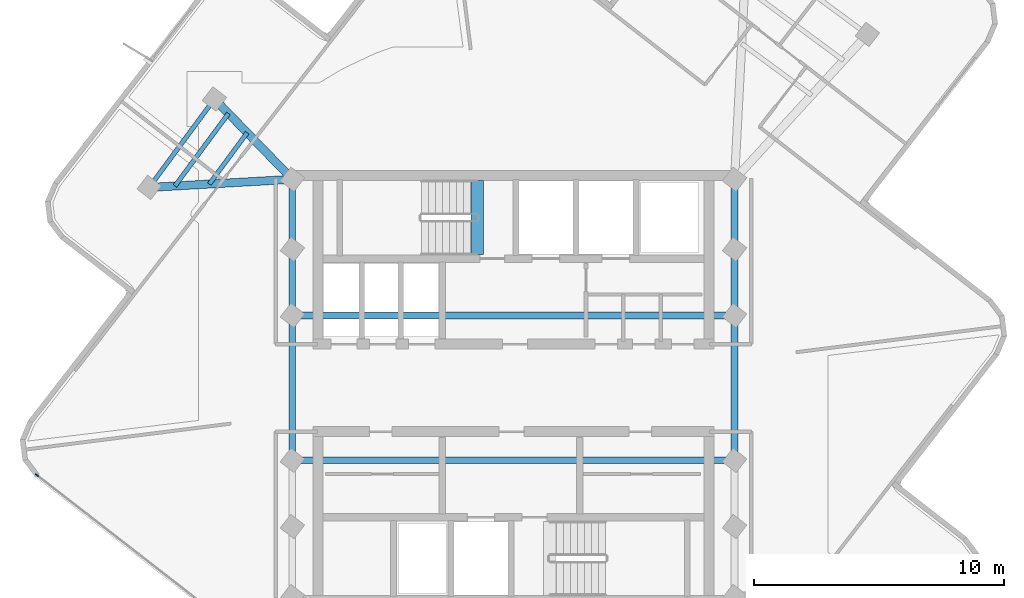
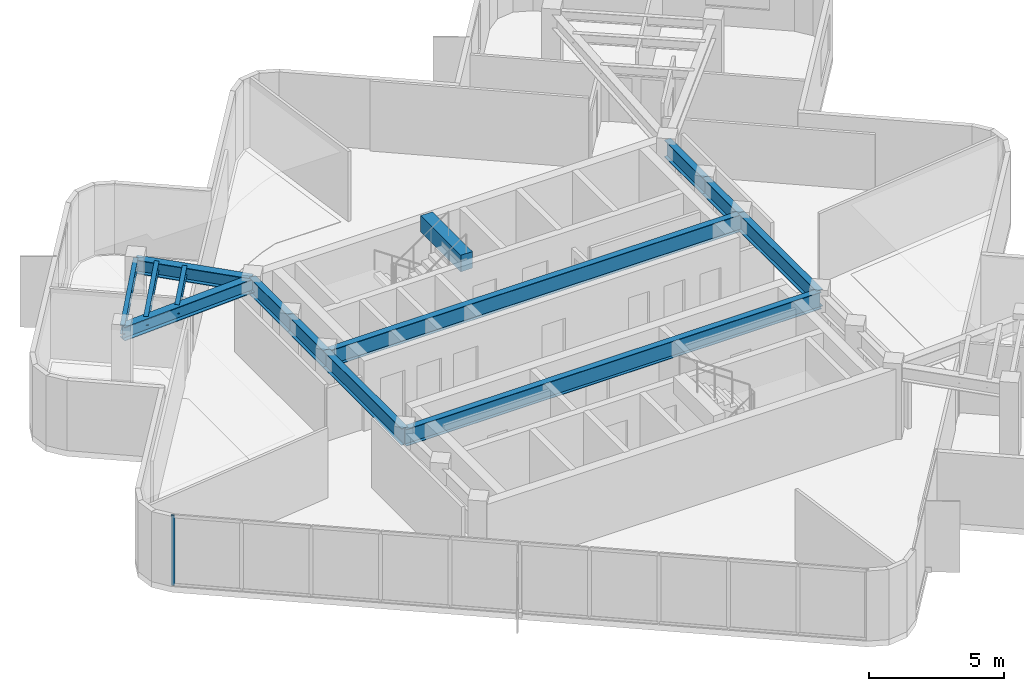
# One storey, part 4 of 10: 14 beams, 1 member, 1 element without a shape of its own.
"""IFC4 building model written with IfcOpenShell, lengths in metres."""

from ifc_helpers import new_model, si_unit, direction, frame, origin, origin_2d, place, context, subcontext, project, spatial, rectangle, i_section, extrude, material, layer, layer_set, material_profile, profile_set, type_object, element, aggregate, save


model = new_model("IFC4")

# Units and contexts
model_context = context("Model", 3, precision=1e-05, world=origin(), true_north=direction((0.0, 1.0)))
body_context = subcontext(model_context, "Body", "Model", "MODEL_VIEW")
ifc_project = project(units=[si_unit("LENGTHUNIT", "METRE"), si_unit("AREAUNIT", "SQUARE_METRE"), si_unit("VOLUMEUNIT", "CUBIC_METRE"), si_unit("PLANEANGLEUNIT", "RADIAN"), si_unit("MASSUNIT", "GRAM", prefix="KILO")], contexts=[model_context])

# Site, building, storey
site_placement = place(None, origin())
site = spatial("IfcSite", under=ifc_project, at=site_placement, CompositionType="ELEMENT")
building_placement = place(site_placement, origin())
building = spatial("IfcBuilding", under=site, at=building_placement, Name="Solmarez Civic Tower", CompositionType="ELEMENT")
storey_placement = place(building_placement, frame((0.0, 0.0, 257.760009765625)))
storey = spatial("IfcBuildingStorey", under=building, at=storey_placement, Name="L69", CompositionType="ELEMENT", Elevation=257.760009765625)

# Beams
ifc_material_1 = material(Name="Steel S355", Category="steel")
ifc_material_profile_1 = material_profile(ifc_material_1, i_section(OverallWidth=0.178955078125, OverallDepth=0.409912109375, WebThickness=0.0087890625, FlangeThickness=0.014404296875, at=origin_2d()), Name="W16X45")
ifc_profile_set_1 = profile_set([ifc_material_profile_1], Name="Steel S355")
beam_type_1 = type_object("IfcBeamType", Name="BM-JS-W16X45", PredefinedType="JOIST", material=ifc_profile_set_1)
beam_1_placement = place(storey_placement, frame((-11.970947265625, 11.56591796875, 2.955078125), z_axis=(-0.593730834471, -0.804663716219, 0.0), x_axis=(0.804663716219, -0.593730834471, 0.0)))
element("IfcBeam", 1, at=beam_1_placement, inside=storey, type_object=beam_type_1, Name="L69 Secondary Floor Joist BM-L69-NA-T1", PredefinedType="JOIST", context=body_context, shape_type="SweptSolid", body=[
    extrude(i_section(OverallWidth=0.178955078125, OverallDepth=0.409912109375, WebThickness=0.0087890625, FlangeThickness=0.014404296875, at=origin_2d()), origin(), (0.0, 0.0, 1.0), 4.3994140625),
])
beam_2_placement = place(storey_placement, frame((-10.659912109375, 10.215087890625, 2.955078125), z_axis=(-0.593812477683, -0.804603468392, 0.0), x_axis=(0.804603468392, -0.593812477683, 0.0)))
element("IfcBeam", 2, at=beam_2_placement, inside=storey, type_object=beam_type_1, Name="L69 Secondary Floor Joist JS-L69-NA-M11", PredefinedType="JOIST", context=body_context, shape_type="SweptSolid", body=[
    extrude(i_section(OverallWidth=0.178955078125, OverallDepth=0.409912109375, WebThickness=0.0087890625, FlangeThickness=0.014404296875, at=origin_2d()), origin(), (0.0, 0.0, 1.0), 2.551513671875),
])
beam_3_placement = place(storey_placement, frame((-11.408935546875, 10.987060546875, 2.955078125), z_axis=(-0.593734433343, -0.804661060735, 0.0), x_axis=(0.804661060735, -0.593734433343, 0.0)))
element("IfcBeam", 3, at=beam_3_placement, inside=storey, type_object=beam_type_1, Name="L69 Secondary Floor Joist JS-L69-NA-M12", PredefinedType="JOIST", context=body_context, shape_type="SweptSolid", body=[
    extrude(i_section(OverallWidth=0.178955078125, OverallDepth=0.409912109375, WebThickness=0.0087890625, FlangeThickness=0.014404296875, at=origin_2d()), origin(), (0.0, 0.0, 1.0), 3.60791015625),
])
ifc_material_2 = material(Name="Concrete C50/60", Category="concrete")
ifc_material_profile_2 = material_profile(ifc_material_2, rectangle(XDim=0.5, YDim=0.75, at=origin_2d()), Name="RC500X750")
ifc_profile_set_2 = profile_set([ifc_material_profile_2], Name="Concrete C50/60")
beam_type_2 = type_object("IfcBeamType", Name="BM-PR-RC500X750", PredefinedType="BEAM", material=ifc_profile_set_2)
beam_4_placement = place(storey_placement, frame((-1.449951171875, 5.340087890625, 3.052978515625), z_axis=(0.0, 1.0, 0.0), x_axis=(-1.0, 0.0, 0.0)))
element("IfcBeam", 4, at=beam_4_placement, inside=storey, type_object=beam_type_2, Name="L69 North Stair Threshold Beam", PredefinedType="BEAM", context=body_context, shape_type="SweptSolid", body=[
    extrude(rectangle(XDim=0.5, YDim=0.75, at=origin_2d()), origin(), (0.0, 0.0, 1.0), 2.9599609375),
])
ifc_material_profile_3 = material_profile(ifc_material_1, i_section(OverallWidth=0.327880859375, OverallDepth=0.6220703125, WebThickness=0.015380859375, FlangeThickness=0.0244140625, at=origin_2d()), Name="W24X131")
ifc_profile_set_3 = profile_set([ifc_material_profile_3], Name="Steel S355")
beam_type_3 = type_object("IfcBeamType", Name="BM-PR-W24X131", PredefinedType="BEAM", material=ifc_profile_set_3)
beam_5_placement = place(storey_placement, frame((-8.85009765625, 8.35009765625, 2.848876953125), z_axis=(-0.696430820305, 0.717623935309, 0.0), x_axis=(-0.717623935309, -0.696430820305, 0.0)))
element("IfcBeam", 5, at=beam_5_placement, inside=storey, type_object=beam_type_3, Name="L69 Primary Floor Beam BM-L69-NA-R1A", PredefinedType="BEAM", context=body_context, shape_type="SweptSolid", body=[
    extrude(i_section(OverallWidth=0.327880859375, OverallDepth=0.6220703125, WebThickness=0.015380859375, FlangeThickness=0.0244140625, at=origin_2d()), origin(), (0.0, 0.0, 1.0), 4.481201171875),
])
beam_6_placement = place(storey_placement, frame((-8.85009765625, 8.35009765625, 2.848876953125), z_axis=(-0.998404650863, -0.056463732917, 0.0), x_axis=(0.056463732917, -0.998404650863, 0.0)))
element("IfcBeam", 6, at=beam_6_placement, inside=storey, type_object=beam_type_3, Name="L69 Primary Floor Beam BM-L69-NA-R1B", PredefinedType="BEAM", context=body_context, shape_type="SweptSolid", body=[
    extrude(i_section(OverallWidth=0.327880859375, OverallDepth=0.6220703125, WebThickness=0.015380859375, FlangeThickness=0.0244140625, at=origin_2d()), origin(), (0.0, 0.0, 1.0), 5.7421875),
])
ifc_material_profile_4 = material_profile(ifc_material_1, i_section(OverallWidth=0.26708984375, OverallDepth=0.761962890625, WebThickness=0.014404296875, FlangeThickness=0.021484375, at=origin_2d()), Name="W30X116")
ifc_profile_set_4 = profile_set([ifc_material_profile_4], Name="Steel S355")
beam_type_4 = type_object("IfcBeamType", Name="BM-PR-W30X116", PredefinedType="BEAM", material=ifc_profile_set_4)
beam_7_placement = place(storey_placement, frame((-8.85009765625, -2.89990234375, 2.779052734375), z_axis=(0.0, 1.0, 0.0), x_axis=(-1.0, 0.0, 0.0)))
element("IfcBeam", 7, at=beam_7_placement, inside=storey, type_object=beam_type_4, Name="L69 Primary Floor Beam BM-L69-HC2-HC3", PredefinedType="BEAM", context=body_context, shape_type="SweptSolid", body=[
    extrude(i_section(OverallWidth=0.26708984375, OverallDepth=0.761962890625, WebThickness=0.014404296875, FlangeThickness=0.021484375, at=origin_2d()), origin(), (0.0, 0.0, 1.0), 5.7998046875),
])
beam_8_placement = place(storey_placement, frame((-8.85009765625, 2.89990234375, 2.779052734375), z_axis=(0.0, 1.0, 0.0), x_axis=(-1.0, 0.0, 0.0)))
element("IfcBeam", 8, at=beam_8_placement, inside=storey, type_object=beam_type_4, Name="L69 Primary Floor Beam BM-L69-HC3-HC4", PredefinedType="BEAM", context=body_context, shape_type="SweptSolid", body=[
    extrude(i_section(OverallWidth=0.26708984375, OverallDepth=0.761962890625, WebThickness=0.014404296875, FlangeThickness=0.021484375, at=origin_2d()), origin(), (0.0, 0.0, 1.0), 2.650146484375),
])
beam_9_placement = place(storey_placement, frame((-8.85009765625, 5.550048828125, 2.779052734375), z_axis=(0.0, 1.0, 0.0), x_axis=(-1.0, 0.0, 0.0)))
element("IfcBeam", 9, at=beam_9_placement, inside=storey, type_object=beam_type_4, Name="L69 Primary Floor Beam BM-L69-HC4-HC9", PredefinedType="BEAM", context=body_context, shape_type="SweptSolid", body=[
    extrude(i_section(OverallWidth=0.26708984375, OverallDepth=0.761962890625, WebThickness=0.014404296875, FlangeThickness=0.021484375, at=origin_2d()), origin(), (0.0, 0.0, 1.0), 2.800048828125),
])
beam_10_placement = place(storey_placement, frame((8.85009765625, -2.89990234375, 2.779052734375), z_axis=(0.0, 1.0, 0.0), x_axis=(-1.0, 0.0, 0.0)))
element("IfcBeam", 10, at=beam_10_placement, inside=storey, type_object=beam_type_4, Name="L69 Primary Floor Beam BM-L69-HC6-HC7", PredefinedType="BEAM", context=body_context, shape_type="SweptSolid", body=[
    extrude(i_section(OverallWidth=0.26708984375, OverallDepth=0.761962890625, WebThickness=0.014404296875, FlangeThickness=0.021484375, at=origin_2d()), origin(), (0.0, 0.0, 1.0), 5.7998046875),
])
beam_11_placement = place(storey_placement, frame((8.85009765625, 2.89990234375, 2.779052734375), z_axis=(0.0, 1.0, 0.0), x_axis=(-1.0, 0.0, 0.0)))
element("IfcBeam", 11, at=beam_11_placement, inside=storey, type_object=beam_type_4, Name="L69 Primary Floor Beam BM-L69-HC7-HC8", PredefinedType="BEAM", context=body_context, shape_type="SweptSolid", body=[
    extrude(i_section(OverallWidth=0.26708984375, OverallDepth=0.761962890625, WebThickness=0.014404296875, FlangeThickness=0.021484375, at=origin_2d()), origin(), (0.0, 0.0, 1.0), 2.650146484375),
])
beam_12_placement = place(storey_placement, frame((8.85009765625, 5.550048828125, 2.779052734375), z_axis=(0.0, 1.0, 0.0), x_axis=(-1.0, 0.0, 0.0)))
element("IfcBeam", 12, at=beam_12_placement, inside=storey, type_object=beam_type_4, Name="L69 Primary Floor Beam BM-L69-HC8-HC11", PredefinedType="BEAM", context=body_context, shape_type="SweptSolid", body=[
    extrude(i_section(OverallWidth=0.26708984375, OverallDepth=0.761962890625, WebThickness=0.014404296875, FlangeThickness=0.021484375, at=origin_2d()), origin(), (0.0, 0.0, 1.0), 2.800048828125),
])
for number, where, z_axis, x_axis, name in (
    (13, (-8.85009765625, -2.89990234375, 2.779052734375), (1.0, 0.0, 0.0), (0.0, 1.0, 0.0), "L69 Primary Floor Beam BM-L69-HC2-HC6"),
    (14, (-8.85009765625, 2.89990234375, 2.779052734375), (1.0, 0.0, 0.0), (0.0, 1.0, 0.0), "L69 Primary Floor Beam BM-L69-HC3-HC7"),
):
    element("IfcBeam", number, at=place(storey_placement, frame(where, z_axis=z_axis, x_axis=x_axis)), inside=storey, type_object=beam_type_4, Name=name, PredefinedType="BEAM", context=body_context, shape_type="SweptSolid", body=[
        extrude(i_section(OverallWidth=0.26708984375, OverallDepth=0.761962890625, WebThickness=0.014404296875, FlangeThickness=0.021484375, at=origin_2d()), origin(), (0.0, 0.0, 1.0), 17.7001953125),
    ])

# Curtain wall, member
ifc_material_3 = material(Name="Bronze Anodised Aluminium EN AW-6063 T6", Category="aluminium")
ifc_layer = layer(ifc_material_3, 0.1650390625)
ifc_layer_set = layer_set([ifc_layer], Name="Bronze Anodised Aluminium EN AW-6063 T6")
curtain_wall_type = type_object("IfcCurtainWallType", Name="CW-SYS-4", PredefinedType="NOTDEFINED", material=ifc_layer_set)
curtain_wall_placement = place(storey_placement, origin())
curtain_wall = element("IfcCurtainWall", 15, at=curtain_wall_placement, inside=storey, type_object=curtain_wall_type, Name="L69 Stick-Built Curtain Wall 2", PredefinedType="NOTDEFINED")
ifc_material_profile_5 = material_profile(ifc_material_3, rectangle(XDim=0.06005859375, YDim=0.14990234375, at=origin_2d()), Name="CWM-60X150")
ifc_profile_set_5 = profile_set([ifc_material_profile_5], Name="Bronze Anodised Aluminium EN AW-6063 T6")
member_type = type_object("IfcMemberType", Name="CWM-TYPE-4", PredefinedType="MULLION", material=ifc_profile_set_5)
member_placement = place(storey_placement, frame((-19.0751953125, -3.492431640625, 0.0), z_axis=(0.0, 0.0, 1.0), x_axis=(-0.612863828087, -0.790188539668, 0.0)))
member = element("IfcMember", 16, at=member_placement, type_object=member_type, Name="CWS4 mullion 11", PredefinedType="MULLION", context=body_context, shape_type="SweptSolid", body=[
    extrude(rectangle(XDim=0.06005859375, YDim=0.14990234375, at=origin_2d()), origin(), (0.0, 0.0, 1.0), 3.159912109375),
])
aggregate(curtain_wall, [member])

save(model, "model.ifc")
